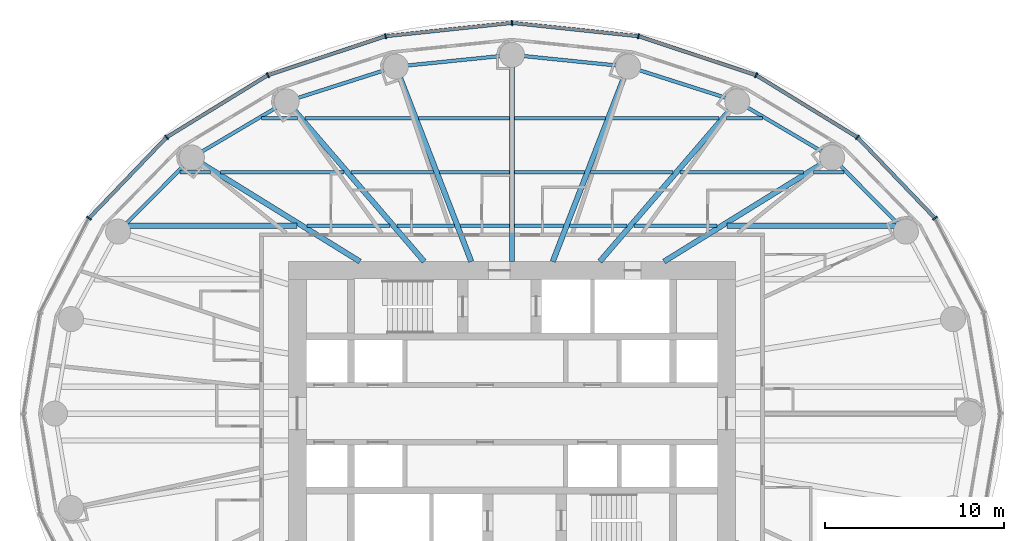
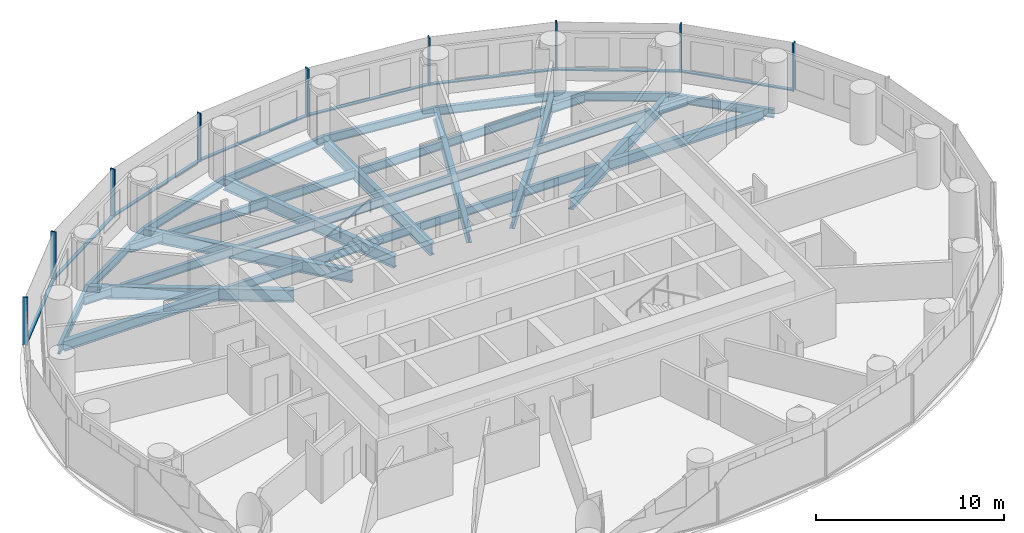
# One storey, part 4 of 13: 37 beams, 17 members, 2 elements without a shape of their own.
"""IFC4 building model written with IfcOpenShell, lengths in metres."""

from ifc_helpers import new_model, si_unit, direction, frame, origin, origin_2d, place, context, subcontext, project, spatial, rectangle, i_section, extrude, material, material_profile, profile_set, type_object, element, aggregate, save


model = new_model("IFC4")

# Units and contexts
model_context = context("Model", 3, precision=1e-05, world=origin(), true_north=direction((0.0, 1.0)))
body_context = subcontext(model_context, "Body", "Model", "MODEL_VIEW")
ifc_project = project(units=[si_unit("LENGTHUNIT", "METRE"), si_unit("AREAUNIT", "SQUARE_METRE"), si_unit("VOLUMEUNIT", "CUBIC_METRE"), si_unit("PLANEANGLEUNIT", "RADIAN"), si_unit("MASSUNIT", "GRAM", prefix="KILO")], contexts=[model_context])

# Site, building, storey
site_placement = place(None, origin())
site = spatial("IfcSite", under=ifc_project, at=site_placement, CompositionType="ELEMENT")
building_placement = place(site_placement, origin())
building = spatial("IfcBuilding", under=site, at=building_placement, Name="Hankou Lantern Tower", CompositionType="ELEMENT")
storey_placement = place(building_placement, frame((0.0, 0.0, 80.39990234375)))
storey = spatial("IfcBuildingStorey", under=building, at=storey_placement, Name="L20", CompositionType="ELEMENT", Elevation=80.39990234375)

# Beams
ifc_material_1 = material(Name="Steel Q355B", Category="steel")
ifc_material_profile_1 = material_profile(ifc_material_1, i_section(OverallWidth=0.199951171875, OverallDepth=0.550048828125, WebThickness=0.010009765625, FlangeThickness=0.01611328125, FilletRadius=0.012939453125, at=origin_2d()), Name="HN550x200x10x16")
ifc_profile_set_1 = profile_set([ifc_material_profile_1], Name="Steel Q355B")
beam_type_1 = type_object("IfcBeamType", Name="EB6 RING BEAM HN550x200x10x16", PredefinedType="SPANDREL", material=ifc_profile_set_1)
beam_1_placement = place(storey_placement, frame((22.01904296875, 10.170166015625, -0.454833984375), z_axis=(-0.705727798394, 0.708483079949, 0.0), x_axis=(-0.708483079949, -0.705727798394, 0.0)))
element("IfcBeam", 1, at=beam_1_placement, inside=storey, type_object=beam_type_1, Name="Ring beam R03-R04 L20", PredefinedType="SPANDREL", context=body_context, shape_type="SweptSolid", body=[
    extrude(i_section(OverallWidth=0.199951171875, OverallDepth=0.550048828125, WebThickness=0.010009765625, FlangeThickness=0.01611328125, FilletRadius=0.012939453125, at=origin_2d()), origin(), (0.0, 0.0, 1.0), 5.84814453125),
])
beam_2_placement = place(storey_placement, frame((17.891845703125, 14.3134765625, -0.454833984375), z_axis=(-0.860881533543, 0.508805449268, 0.0), x_axis=(-0.508805449268, -0.860881533543, 0.0)))
element("IfcBeam", 2, at=beam_2_placement, inside=storey, type_object=beam_type_1, Name="Ring beam R04-R05 L20", PredefinedType="SPANDREL", context=body_context, shape_type="SweptSolid", body=[
    extrude(i_section(OverallWidth=0.199951171875, OverallDepth=0.550048828125, WebThickness=0.010009765625, FlangeThickness=0.01611328125, FilletRadius=0.012939453125, at=origin_2d()), origin(), (0.0, 0.0, 1.0), 6.15771484375),
])
beam_3_placement = place(storey_placement, frame((12.5908203125, 17.446533203125, -0.454833984375), z_axis=(-0.952690479428, 0.303942182671, 0.0), x_axis=(-0.303942182671, -0.952690479428, 0.0)))
element("IfcBeam", 3, at=beam_3_placement, inside=storey, type_object=beam_type_1, Name="Ring beam R05-R06 L20", PredefinedType="SPANDREL", context=body_context, shape_type="SweptSolid", body=[
    extrude(i_section(OverallWidth=0.199951171875, OverallDepth=0.550048828125, WebThickness=0.010009765625, FlangeThickness=0.01611328125, FilletRadius=0.012939453125, at=origin_2d()), origin(), (0.0, 0.0, 1.0), 6.398681640625),
])
for number, where, z_axis, x_axis, name in (
    (4, (6.494873046875, 19.391357421875, -0.454833984375), (-0.994896616842, 0.100899562915, 0.0), (-0.100899562915, -0.994896616842, 0.0), "Ring beam R06-R07 L20"),
    (5, (0.0, 20.050048828125, -0.454833984375), (-0.994896616842, -0.100899562915, 0.0), (0.100899562915, -0.994896616842, 0.0), "Ring beam R07-R08 L20"),
):
    element("IfcBeam", number, at=place(storey_placement, frame(where, z_axis=z_axis, x_axis=x_axis)), inside=storey, type_object=beam_type_1, Name=name, PredefinedType="SPANDREL", context=body_context, shape_type="SweptSolid", body=[
        extrude(i_section(OverallWidth=0.199951171875, OverallDepth=0.550048828125, WebThickness=0.010009765625, FlangeThickness=0.01611328125, FilletRadius=0.012939453125, at=origin_2d()), origin(), (0.0, 0.0, 1.0), 6.528076171875),
    ])
beam_4_placement = place(storey_placement, frame((-6.494873046875, 19.391357421875, -0.454833984375), z_axis=(-0.952690479428, -0.303942182671, 0.0), x_axis=(0.303942182671, -0.952690479428, 0.0)))
element("IfcBeam", 6, at=beam_4_placement, inside=storey, type_object=beam_type_1, Name="Ring beam R08-R09 L20", PredefinedType="SPANDREL", context=body_context, shape_type="SweptSolid", body=[
    extrude(i_section(OverallWidth=0.199951171875, OverallDepth=0.550048828125, WebThickness=0.010009765625, FlangeThickness=0.01611328125, FilletRadius=0.012939453125, at=origin_2d()), origin(), (0.0, 0.0, 1.0), 6.398681640625),
])
beam_5_placement = place(storey_placement, frame((-12.5908203125, 17.446533203125, -0.454833984375), z_axis=(-0.860881533543, -0.508805449268, 0.0), x_axis=(0.508805449268, -0.860881533543, 0.0)))
element("IfcBeam", 7, at=beam_5_placement, inside=storey, type_object=beam_type_1, Name="Ring beam R09-R10 L20", PredefinedType="SPANDREL", context=body_context, shape_type="SweptSolid", body=[
    extrude(i_section(OverallWidth=0.199951171875, OverallDepth=0.550048828125, WebThickness=0.010009765625, FlangeThickness=0.01611328125, FilletRadius=0.012939453125, at=origin_2d()), origin(), (0.0, 0.0, 1.0), 6.15771484375),
])
beam_6_placement = place(storey_placement, frame((-17.891845703125, 14.3134765625, -0.454833984375), z_axis=(-0.705727798394, -0.708483079949, 0.0), x_axis=(0.708483079949, -0.705727798394, 0.0)))
element("IfcBeam", 8, at=beam_6_placement, inside=storey, type_object=beam_type_1, Name="Ring beam R10-R11 L20", PredefinedType="SPANDREL", context=body_context, shape_type="SweptSolid", body=[
    extrude(i_section(OverallWidth=0.199951171875, OverallDepth=0.550048828125, WebThickness=0.010009765625, FlangeThickness=0.01611328125, FilletRadius=0.012939453125, at=origin_2d()), origin(), (0.0, 0.0, 1.0), 5.84814453125),
])

# Curtain wall, members
ifc_material_2 = material(Name="Glass, dark grey tinted laminated", Category="glass")
curtain_wall_type = type_object("IfcCurtainWallType", Name="CWA OUTER SKIN LOW-RISE", PredefinedType="USERDEFINED", material=ifc_material_2)
curtain_wall_1_placement = place(storey_placement, origin())
curtain_wall_1 = element("IfcCurtainWall", 9, at=curtain_wall_1_placement, inside=storey, type_object=curtain_wall_type, Name="CWA L20 OS1", ObjectType="OUTER SKIN LOW-RISE", PredefinedType="USERDEFINED")
ifc_material_3 = material(Name="Aluminium, black anodised", Category="aluminium")
ifc_material_profile_2 = material_profile(ifc_material_3, rectangle(XDim=0.080078125, YDim=0.300048828125, at=origin_2d()), Name="MU1 80X300")
ifc_profile_set_2 = profile_set([ifc_material_profile_2], Name="Aluminium, black anodised")
member_type_1 = type_object("IfcMemberType", Name="MU1 OUTER SKIN MULLION 80X300", PredefinedType="MULLION", material=ifc_profile_set_2)
member_1_placement = place(storey_placement, frame((23.642578125, 10.919921875, 0.0), z_axis=(0.0, 0.0, 1.0), x_axis=(-0.585205735974, 0.810884854084, 0.0)))
member_1 = element("IfcMember", 10, at=member_1_placement, type_object=member_type_1, Name="CWA mullion 3", PredefinedType="MULLION", context=body_context, shape_type="SweptSolid", body=[
    extrude(rectangle(XDim=0.080078125, YDim=0.300048828125, at=origin_2d()), origin(), (0.0, 0.0, 1.0), 3.1201171875),
])
member_2_placement = place(storey_placement, frame((19.303955078125, 15.443115234375, 0.0), z_axis=(0.0, 0.0, 1.0), x_axis=(-0.780868809444, 0.624695047553, 0.0)))
member_2 = element("IfcMember", 11, at=member_2_placement, type_object=member_type_1, Name="CWA mullion 4", PredefinedType="MULLION", context=body_context, shape_type="SweptSolid", body=[
    extrude(rectangle(XDim=0.080078125, YDim=0.300048828125, at=origin_2d()), origin(), (0.0, 0.0, 1.0), 3.1201171875),
])
member_3_placement = place(storey_placement, frame((13.64990234375, 18.9140625, 0.0), z_axis=(0.0, 0.0, 1.0), x_axis=(-0.907841299004, 0.419313934686, 0.0)))
member_3 = element("IfcMember", 12, at=member_3_placement, type_object=member_type_1, Name="CWA mullion 5", PredefinedType="MULLION", context=body_context, shape_type="SweptSolid", body=[
    extrude(rectangle(XDim=0.080078125, YDim=0.300048828125, at=origin_2d()), origin(), (0.0, 0.0, 1.0), 3.1201171875),
])
member_4_placement = place(storey_placement, frame((7.065673828125, 21.095703125, 0.0), z_axis=(0.0, 0.0, 1.0), x_axis=(-0.977787659625, 0.209597931016, 0.0)))
member_4 = element("IfcMember", 13, at=member_4_placement, type_object=member_type_1, Name="CWA mullion 6", PredefinedType="MULLION", context=body_context, shape_type="SweptSolid", body=[
    extrude(rectangle(XDim=0.080078125, YDim=0.300048828125, at=origin_2d()), origin(), (0.0, 0.0, 1.0), 3.1201171875),
])

curtain_wall_2_placement = place(storey_placement, origin())
curtain_wall_2 = element("IfcCurtainWall", 14, at=curtain_wall_2_placement, inside=storey, type_object=curtain_wall_type, Name="CWA L20 OS2", ObjectType="OUTER SKIN LOW-RISE", PredefinedType="USERDEFINED")
member_5_placement = place(storey_placement, frame((0.0, 21.840087890625, 0.0), z_axis=(0.0, 0.0, 1.0), x_axis=(-0.994499359107, -0.104742659579, 0.0)))
member_5 = element("IfcMember", 15, at=member_5_placement, type_object=member_type_1, Name="CWA mullion 1", PredefinedType="MULLION", context=body_context, shape_type="SweptSolid", body=[
    extrude(rectangle(XDim=0.080078125, YDim=0.300048828125, at=origin_2d()), origin(), (0.0, 0.0, 1.0), 3.1201171875),
])
member_6_placement = place(storey_placement, frame((-7.065673828125, 21.095703125, 0.0), z_axis=(0.0, 0.0, 1.0), x_axis=(-0.977787659625, -0.209597931016, 0.0)))
member_6 = element("IfcMember", 16, at=member_6_placement, type_object=member_type_1, Name="CWA mullion 2", PredefinedType="MULLION", context=body_context, shape_type="SweptSolid", body=[
    extrude(rectangle(XDim=0.080078125, YDim=0.300048828125, at=origin_2d()), origin(), (0.0, 0.0, 1.0), 3.1201171875),
])
member_7_placement = place(storey_placement, frame((-13.64990234375, 18.9140625, 0.0), z_axis=(0.0, 0.0, 1.0), x_axis=(-0.907841299004, -0.419313934686, 0.0)))
member_7 = element("IfcMember", 17, at=member_7_placement, type_object=member_type_1, Name="CWA mullion 3", PredefinedType="MULLION", context=body_context, shape_type="SweptSolid", body=[
    extrude(rectangle(XDim=0.080078125, YDim=0.300048828125, at=origin_2d()), origin(), (0.0, 0.0, 1.0), 3.1201171875),
])
member_8_placement = place(storey_placement, frame((-19.303955078125, 15.443115234375, 0.0), z_axis=(0.0, 0.0, 1.0), x_axis=(-0.780868809444, -0.624695047553, 0.0)))
member_8 = element("IfcMember", 18, at=member_8_placement, type_object=member_type_1, Name="CWA mullion 4", PredefinedType="MULLION", context=body_context, shape_type="SweptSolid", body=[
    extrude(rectangle(XDim=0.080078125, YDim=0.300048828125, at=origin_2d()), origin(), (0.0, 0.0, 1.0), 3.1201171875),
])
member_9_placement = place(storey_placement, frame((-23.642578125, 10.919921875, 0.0), z_axis=(0.0, 0.0, 1.0), x_axis=(-0.585205735974, -0.810884854084, 0.0)))
member_9 = element("IfcMember", 19, at=member_9_placement, type_object=member_type_1, Name="CWA mullion 5", PredefinedType="MULLION", context=body_context, shape_type="SweptSolid", body=[
    extrude(rectangle(XDim=0.080078125, YDim=0.300048828125, at=origin_2d()), origin(), (0.0, 0.0, 1.0), 3.1201171875),
])

# Beams
ifc_material_4 = material(Name="Steel Q355B", Category="steel")
ifc_material_profile_3 = material_profile(ifc_material_4, i_section(OverallWidth=0.300048828125, OverallDepth=0.800048828125, WebThickness=0.013916015625, FlangeThickness=0.02587890625, FilletRadius=0.01806640625, at=origin_2d()), Name="HN800x300x14x26")
ifc_profile_set_3 = profile_set([ifc_material_profile_3], Name="Steel Q355B")
beam_type_2 = type_object("IfcBeamType", Name="RB11 RADIAL BEAM HN800x300x14x26", PredefinedType="BEAM", material=ifc_profile_set_3)
beam_7_placement = place(storey_placement, frame((8.5, 8.5, -0.579833984375), z_axis=(0.850286343288, 0.526320372414, 0.0), x_axis=(-0.526320372414, 0.850286343288, 0.0)))
element("IfcBeam", 20, at=beam_7_placement, inside=storey, type_object=beam_type_2, Name="Radial beam R04 L20", PredefinedType="BEAM", context=body_context, shape_type="SweptSolid", body=[
    extrude(i_section(OverallWidth=0.300048828125, OverallDepth=0.800048828125, WebThickness=0.013916015625, FlangeThickness=0.02587890625, FilletRadius=0.01806640625, at=origin_2d()), origin(), (0.0, 0.0, 1.0), 11.04541015625),
])
beam_8_placement = place(storey_placement, frame((4.907470703125, 8.5, -0.579833984375), z_axis=(0.651519061225, 0.758632264579, 0.0), x_axis=(-0.758632264579, 0.651519061225, 0.0)))
element("IfcBeam", 21, at=beam_8_placement, inside=storey, type_object=beam_type_2, Name="Radial beam R05 L20", PredefinedType="BEAM", context=body_context, shape_type="SweptSolid", body=[
    extrude(i_section(OverallWidth=0.300048828125, OverallDepth=0.800048828125, WebThickness=0.013916015625, FlangeThickness=0.02587890625, FilletRadius=0.01806640625, at=origin_2d()), origin(), (0.0, 0.0, 1.0), 11.79296875),
])
beam_9_placement = place(storey_placement, frame((2.277587890625, 8.5, -0.579833984375), z_axis=(0.361089103374, 0.932531318201, 0.0), x_axis=(-0.932531318201, 0.361089103374, 0.0)))
element("IfcBeam", 22, at=beam_9_placement, inside=storey, type_object=beam_type_2, Name="Radial beam R06 L20", PredefinedType="BEAM", context=body_context, shape_type="SweptSolid", body=[
    extrude(i_section(OverallWidth=0.300048828125, OverallDepth=0.800048828125, WebThickness=0.013916015625, FlangeThickness=0.02587890625, FilletRadius=0.01806640625, at=origin_2d()), origin(), (0.0, 0.0, 1.0), 11.679443359375),
])
beam_10_placement = place(storey_placement, frame((0.0, 8.5, -0.579833984375), z_axis=(0.0, 1.0, 0.0), x_axis=(-1.0, 0.0, 0.0)))
element("IfcBeam", 23, at=beam_10_placement, inside=storey, type_object=beam_type_2, Name="Radial beam R07 L20", PredefinedType="BEAM", context=body_context, shape_type="SweptSolid", body=[
    extrude(i_section(OverallWidth=0.300048828125, OverallDepth=0.800048828125, WebThickness=0.013916015625, FlangeThickness=0.02587890625, FilletRadius=0.01806640625, at=origin_2d()), origin(), (0.0, 0.0, 1.0), 11.550048828125),
])
beam_11_placement = place(storey_placement, frame((-2.277587890625, 8.5, -0.579833984375), z_axis=(-0.361089103374, 0.932531318201, 0.0), x_axis=(-0.932531318201, -0.361089103374, 0.0)))
element("IfcBeam", 24, at=beam_11_placement, inside=storey, type_object=beam_type_2, Name="Radial beam R08 L20", PredefinedType="BEAM", context=body_context, shape_type="SweptSolid", body=[
    extrude(i_section(OverallWidth=0.300048828125, OverallDepth=0.800048828125, WebThickness=0.013916015625, FlangeThickness=0.02587890625, FilletRadius=0.01806640625, at=origin_2d()), origin(), (0.0, 0.0, 1.0), 11.679443359375),
])
beam_12_placement = place(storey_placement, frame((-4.907470703125, 8.5, -0.579833984375), z_axis=(-0.651519061225, 0.758632264579, 0.0), x_axis=(-0.758632264579, -0.651519061225, 0.0)))
element("IfcBeam", 25, at=beam_12_placement, inside=storey, type_object=beam_type_2, Name="Radial beam R09 L20", PredefinedType="BEAM", context=body_context, shape_type="SweptSolid", body=[
    extrude(i_section(OverallWidth=0.300048828125, OverallDepth=0.800048828125, WebThickness=0.013916015625, FlangeThickness=0.02587890625, FilletRadius=0.01806640625, at=origin_2d()), origin(), (0.0, 0.0, 1.0), 11.79296875),
])
beam_13_placement = place(storey_placement, frame((-8.5, 8.5, -0.579833984375), z_axis=(-0.850286343288, 0.526320372414, 0.0), x_axis=(-0.526320372414, -0.850286343288, 0.0)))
element("IfcBeam", 26, at=beam_13_placement, inside=storey, type_object=beam_type_2, Name="Radial beam R10 L20", PredefinedType="BEAM", context=body_context, shape_type="SweptSolid", body=[
    extrude(i_section(OverallWidth=0.300048828125, OverallDepth=0.800048828125, WebThickness=0.013916015625, FlangeThickness=0.02587890625, FilletRadius=0.01806640625, at=origin_2d()), origin(), (0.0, 0.0, 1.0), 11.04541015625),
])
ifc_material_5 = material(Name="Steel Q355B", Category="steel")
ifc_material_profile_4 = material_profile(ifc_material_5, i_section(OverallWidth=0.199951171875, OverallDepth=0.550048828125, WebThickness=0.010009765625, FlangeThickness=0.01611328125, FilletRadius=0.012939453125, at=origin_2d()), Name="HN550x200x10x16")
ifc_profile_set_4 = profile_set([ifc_material_profile_4], Name="Steel Q355B")
beam_type_3 = type_object("IfcBeamType", Name="SB6 SECONDARY BEAM HN550x200x10x16", PredefinedType="JOIST", material=ifc_profile_set_4)
beam_14_placement = place(storey_placement, frame((-11.446044921875, 10.5, -0.454833984375), z_axis=(1.0, 0.0, 0.0), x_axis=(0.0, 1.0, 0.0)))
element("IfcBeam", 27, at=beam_14_placement, inside=storey, type_object=beam_type_3, Name="Floor joist J040 L20", PredefinedType="JOIST", context=body_context, shape_type="SweptSolid", body=[
    extrude(i_section(OverallWidth=0.199951171875, OverallDepth=0.550048828125, WebThickness=0.010009765625, FlangeThickness=0.01611328125, FilletRadius=0.012939453125, at=origin_2d()), origin(), (0.0, 0.0, 1.0), 4.623291015625),
])
beam_15_placement = place(storey_placement, frame((-6.427490234375, 10.5, -0.454833984375), z_axis=(1.0, 0.0, 0.0), x_axis=(0.0, 1.0, 0.0)))
element("IfcBeam", 28, at=beam_15_placement, inside=storey, type_object=beam_type_3, Name="Floor joist J041 L20", PredefinedType="JOIST", context=body_context, shape_type="SweptSolid", body=[
    extrude(i_section(OverallWidth=0.199951171875, OverallDepth=0.550048828125, WebThickness=0.010009765625, FlangeThickness=0.01611328125, FilletRadius=0.012939453125, at=origin_2d()), origin(), (0.0, 0.0, 1.0), 3.214599609375),
])
for number, where, z_axis, x_axis, name in (
    (29, (-2.89111328125, 10.5, -0.454833984375), (1.0, 0.0, 0.0), (0.0, 1.0, 0.0), "Floor joist J042 L20"),
    (30, (0.14990234375, 10.5, -0.454833984375), (1.0, 0.0, 0.0), (0.0, 1.0, 0.0), "Floor joist J043 L20"),
):
    element("IfcBeam", number, at=place(storey_placement, frame(where, z_axis=z_axis, x_axis=x_axis)), inside=storey, type_object=beam_type_3, Name=name, PredefinedType="JOIST", context=body_context, shape_type="SweptSolid", body=[
        extrude(i_section(OverallWidth=0.199951171875, OverallDepth=0.550048828125, WebThickness=0.010009765625, FlangeThickness=0.01611328125, FilletRadius=0.012939453125, at=origin_2d()), origin(), (0.0, 0.0, 1.0), 2.7412109375),
    ])
beam_16_placement = place(storey_placement, frame((3.212890625, 10.5, -0.454833984375), z_axis=(1.0, 0.0, 0.0), x_axis=(0.0, 1.0, 0.0)))
element("IfcBeam", 31, at=beam_16_placement, inside=storey, type_object=beam_type_3, Name="Floor joist J044 L20", PredefinedType="JOIST", context=body_context, shape_type="SweptSolid", body=[
    extrude(i_section(OverallWidth=0.199951171875, OverallDepth=0.550048828125, WebThickness=0.010009765625, FlangeThickness=0.01611328125, FilletRadius=0.012939453125, at=origin_2d()), origin(), (0.0, 0.0, 1.0), 3.214599609375),
])
beam_17_placement = place(storey_placement, frame((6.82275390625, 10.5, -0.454833984375), z_axis=(1.0, 0.0, 0.0), x_axis=(0.0, 1.0, 0.0)))
element("IfcBeam", 32, at=beam_17_placement, inside=storey, type_object=beam_type_3, Name="Floor joist J045 L20", PredefinedType="JOIST", context=body_context, shape_type="SweptSolid", body=[
    extrude(i_section(OverallWidth=0.199951171875, OverallDepth=0.550048828125, WebThickness=0.010009765625, FlangeThickness=0.01611328125, FilletRadius=0.012939453125, at=origin_2d()), origin(), (0.0, 0.0, 1.0), 4.623291015625),
])
beam_18_placement = place(storey_placement, frame((-18.560791015625, 13.5, -0.454833984375), z_axis=(1.0, 0.0, 0.0), x_axis=(0.0, 1.0, 0.0)))
element("IfcBeam", 33, at=beam_18_placement, inside=storey, type_object=beam_type_3, Name="Floor joist J047 L20", PredefinedType="JOIST", context=body_context, shape_type="SweptSolid", body=[
    extrude(i_section(OverallWidth=0.199951171875, OverallDepth=0.550048828125, WebThickness=0.010009765625, FlangeThickness=0.01611328125, FilletRadius=0.012939453125, at=origin_2d()), origin(), (0.0, 0.0, 1.0), 1.697998046875),
])
beam_19_placement = place(storey_placement, frame((-16.292724609375, 13.5, -0.454833984375), z_axis=(1.0, 0.0, 0.0), x_axis=(0.0, 1.0, 0.0)))
element("IfcBeam", 34, at=beam_19_placement, inside=storey, type_object=beam_type_3, Name="Floor joist J048 L20", PredefinedType="JOIST", context=body_context, shape_type="SweptSolid", body=[
    extrude(i_section(OverallWidth=0.199951171875, OverallDepth=0.550048828125, WebThickness=0.010009765625, FlangeThickness=0.01611328125, FilletRadius=0.012939453125, at=origin_2d()), origin(), (0.0, 0.0, 1.0), 6.893310546875),
])
beam_20_placement = place(storey_placement, frame((-9.00390625, 13.5, -0.454833984375), z_axis=(1.0, 0.0, 0.0), x_axis=(0.0, 1.0, 0.0)))
element("IfcBeam", 35, at=beam_20_placement, inside=storey, type_object=beam_type_3, Name="Floor joist J049 L20", PredefinedType="JOIST", context=body_context, shape_type="SweptSolid", body=[
    extrude(i_section(OverallWidth=0.199951171875, OverallDepth=0.550048828125, WebThickness=0.010009765625, FlangeThickness=0.01611328125, FilletRadius=0.012939453125, at=origin_2d()), origin(), (0.0, 0.0, 1.0), 4.62939453125),
])
for number, where, z_axis, x_axis, name in (
    (36, (-4.052734375, 13.5, -0.454833984375), (1.0, 0.0, 0.0), (0.0, 1.0, 0.0), "Floor joist J050 L20"),
    (37, (0.14990234375, 13.5, -0.454833984375), (1.0, 0.0, 0.0), (0.0, 1.0, 0.0), "Floor joist J051 L20"),
):
    element("IfcBeam", number, at=place(storey_placement, frame(where, z_axis=z_axis, x_axis=x_axis)), inside=storey, type_object=beam_type_3, Name=name, PredefinedType="JOIST", context=body_context, shape_type="SweptSolid", body=[
        extrude(i_section(OverallWidth=0.199951171875, OverallDepth=0.550048828125, WebThickness=0.010009765625, FlangeThickness=0.01611328125, FilletRadius=0.012939453125, at=origin_2d()), origin(), (0.0, 0.0, 1.0), 3.90283203125),
    ])
beam_21_placement = place(storey_placement, frame((4.37451171875, 13.5, -0.454833984375), z_axis=(1.0, 0.0, 0.0), x_axis=(0.0, 1.0, 0.0)))
element("IfcBeam", 38, at=beam_21_placement, inside=storey, type_object=beam_type_3, Name="Floor joist J052 L20", PredefinedType="JOIST", context=body_context, shape_type="SweptSolid", body=[
    extrude(i_section(OverallWidth=0.199951171875, OverallDepth=0.550048828125, WebThickness=0.010009765625, FlangeThickness=0.01611328125, FilletRadius=0.012939453125, at=origin_2d()), origin(), (0.0, 0.0, 1.0), 4.62939453125),
])
beam_22_placement = place(storey_placement, frame((9.3994140625, 13.5, -0.454833984375), z_axis=(1.0, 0.0, 0.0), x_axis=(0.0, 1.0, 0.0)))
element("IfcBeam", 39, at=beam_22_placement, inside=storey, type_object=beam_type_3, Name="Floor joist J053 L20", PredefinedType="JOIST", context=body_context, shape_type="SweptSolid", body=[
    extrude(i_section(OverallWidth=0.199951171875, OverallDepth=0.550048828125, WebThickness=0.010009765625, FlangeThickness=0.01611328125, FilletRadius=0.012939453125, at=origin_2d()), origin(), (0.0, 0.0, 1.0), 6.893310546875),
])
beam_23_placement = place(storey_placement, frame((16.86279296875, 13.5, -0.454833984375), z_axis=(1.0, 0.0, 0.0), x_axis=(0.0, 1.0, 0.0)))
element("IfcBeam", 40, at=beam_23_placement, inside=storey, type_object=beam_type_3, Name="Floor joist J054 L20", PredefinedType="JOIST", context=body_context, shape_type="SweptSolid", body=[
    extrude(i_section(OverallWidth=0.199951171875, OverallDepth=0.550048828125, WebThickness=0.010009765625, FlangeThickness=0.01611328125, FilletRadius=0.012939453125, at=origin_2d()), origin(), (0.0, 0.0, 1.0), 1.697998046875),
])
beam_24_placement = place(storey_placement, frame((-13.99560546875, 16.5, -0.454833984375), z_axis=(1.0, 0.0, 0.0), x_axis=(0.0, 1.0, 0.0)))
element("IfcBeam", 41, at=beam_24_placement, inside=storey, type_object=beam_type_3, Name="Floor joist J055 L20", PredefinedType="JOIST", context=body_context, shape_type="SweptSolid", body=[
    extrude(i_section(OverallWidth=0.199951171875, OverallDepth=0.550048828125, WebThickness=0.010009765625, FlangeThickness=0.01611328125, FilletRadius=0.012939453125, at=origin_2d()), origin(), (0.0, 0.0, 1.0), 2.019775390625),
])
beam_25_placement = place(storey_placement, frame((-11.580322265625, 16.5, -0.454833984375), z_axis=(1.0, 0.0, 0.0), x_axis=(0.0, 1.0, 0.0)))
element("IfcBeam", 42, at=beam_25_placement, inside=storey, type_object=beam_type_3, Name="Floor joist J056 L20", PredefinedType="JOIST", context=body_context, shape_type="SweptSolid", body=[
    extrude(i_section(OverallWidth=0.199951171875, OverallDepth=0.550048828125, WebThickness=0.010009765625, FlangeThickness=0.01611328125, FilletRadius=0.012939453125, at=origin_2d()), origin(), (0.0, 0.0, 1.0), 6.044189453125),
])
for number, where, z_axis, x_axis, name in (
    (43, (-5.21435546875, 16.5, -0.454833984375), (1.0, 0.0, 0.0), (0.0, 1.0, 0.0), "Floor joist J057 L20"),
    (44, (0.14990234375, 16.5, -0.454833984375), (1.0, 0.0, 0.0), (0.0, 1.0, 0.0), "Floor joist J058 L20"),
):
    element("IfcBeam", number, at=place(storey_placement, frame(where, z_axis=z_axis, x_axis=x_axis)), inside=storey, type_object=beam_type_3, Name=name, PredefinedType="JOIST", context=body_context, shape_type="SweptSolid", body=[
        extrude(i_section(OverallWidth=0.199951171875, OverallDepth=0.550048828125, WebThickness=0.010009765625, FlangeThickness=0.01611328125, FilletRadius=0.012939453125, at=origin_2d()), origin(), (0.0, 0.0, 1.0), 5.064453125),
    ])
beam_26_placement = place(storey_placement, frame((5.5361328125, 16.5, -0.454833984375), z_axis=(1.0, 0.0, 0.0), x_axis=(0.0, 1.0, 0.0)))
element("IfcBeam", 45, at=beam_26_placement, inside=storey, type_object=beam_type_3, Name="Floor joist J059 L20", PredefinedType="JOIST", context=body_context, shape_type="SweptSolid", body=[
    extrude(i_section(OverallWidth=0.199951171875, OverallDepth=0.550048828125, WebThickness=0.010009765625, FlangeThickness=0.01611328125, FilletRadius=0.012939453125, at=origin_2d()), origin(), (0.0, 0.0, 1.0), 6.044189453125),
])
beam_27_placement = place(storey_placement, frame((11.975830078125, 16.5, -0.454833984375), z_axis=(1.0, 0.0, 0.0), x_axis=(0.0, 1.0, 0.0)))
element("IfcBeam", 46, at=beam_27_placement, inside=storey, type_object=beam_type_3, Name="Floor joist J060 L20", PredefinedType="JOIST", context=body_context, shape_type="SweptSolid", body=[
    extrude(i_section(OverallWidth=0.199951171875, OverallDepth=0.550048828125, WebThickness=0.010009765625, FlangeThickness=0.01611328125, FilletRadius=0.012939453125, at=origin_2d()), origin(), (0.0, 0.0, 1.0), 2.019775390625),
])
ifc_material_6 = material(Name="Steel Q355B", Category="steel")
ifc_material_profile_5 = material_profile(ifc_material_6, i_section(OverallWidth=0.300048828125, OverallDepth=0.64990234375, WebThickness=0.010986328125, FlangeThickness=0.01708984375, FilletRadius=0.01806640625, at=origin_2d()), Name="HN650x300x11x17")
ifc_profile_set_5 = profile_set([ifc_material_profile_5], Name="Steel Q355B")
beam_type_4 = type_object("IfcBeamType", Name="SB8 SECONDARY BEAM HN650x300x11x17", PredefinedType="JOIST", material=ifc_profile_set_5)
for number, where, z_axis, x_axis, name in (
    (47, (-21.54931640625, 10.5, -0.5048828125), (1.0, 0.0, 0.0), (0.0, 1.0, 0.0), "Floor joist J039 L20"),
    (48, (12.01611328125, 10.5, -0.5048828125), (1.0, 0.0, 0.0), (0.0, 1.0, 0.0), "Floor joist J046 L20"),
):
    element("IfcBeam", number, at=place(storey_placement, frame(where, z_axis=z_axis, x_axis=x_axis)), inside=storey, type_object=beam_type_4, Name=name, PredefinedType="JOIST", context=body_context, shape_type="SweptSolid", body=[
        extrude(i_section(OverallWidth=0.300048828125, OverallDepth=0.64990234375, WebThickness=0.010986328125, FlangeThickness=0.01708984375, FilletRadius=0.01806640625, at=origin_2d()), origin(), (0.0, 0.0, 1.0), 9.533203125),
    ])

# Member
ifc_material_7 = material(Name="Aluminium, black anodised", Category="aluminium")
ifc_material_profile_6 = material_profile(ifc_material_7, rectangle(XDim=0.199951171875, YDim=0.080078125, at=origin_2d()), Name="TR1 200X80")
ifc_profile_set_6 = profile_set([ifc_material_profile_6], Name="Aluminium, black anodised")
member_type_2 = type_object("IfcMemberType", Name="TR1 OUTER SKIN TRANSOM 200X80", PredefinedType="USERDEFINED", material=ifc_profile_set_6)
member_10_placement = place(storey_placement, frame((23.61474609375, 10.948974609375, 0.0400390625), z_axis=(-0.692215537374, 0.721690827029, 0.0), x_axis=(-0.721690827029, -0.692215537374, 0.0)))
member_10 = element("IfcMember", 49, at=member_10_placement, type_object=member_type_2, Name="CWA transom 3", ObjectType="TRANSOM", PredefinedType="USERDEFINED", context=body_context, shape_type="SweptSolid", body=[
    extrude(rectangle(XDim=0.199951171875, YDim=0.080078125, at=origin_2d()), origin(), (0.0, 0.0, 1.0), 6.187255859375),
])

member_11_placement = place(storey_placement, frame((19.27001953125, 15.464111328125, 0.0400390625), z_axis=(-0.85223969557, 0.523151508929, 0.0), x_axis=(-0.523151508929, -0.85223969557, 0.0)))
member_11 = element("IfcMember", 50, at=member_11_placement, type_object=member_type_2, Name="CWA transom 4", ObjectType="TRANSOM", PredefinedType="USERDEFINED", context=body_context, shape_type="SweptSolid", body=[
    extrude(rectangle(XDim=0.199951171875, YDim=0.080078125, at=origin_2d()), origin(), (0.0, 0.0, 1.0), 6.554443359375),
])

member_12_placement = place(storey_placement, frame((13.612060546875, 18.926513671875, 0.0400390625), z_axis=(-0.949237318771, 0.314560825044, 0.0), x_axis=(-0.314560825044, -0.949237318771, 0.0)))
member_12 = element("IfcMember", 51, at=member_12_placement, type_object=member_type_2, Name="CWA transom 5", ObjectType="TRANSOM", PredefinedType="USERDEFINED", context=body_context, shape_type="SweptSolid", body=[
    extrude(rectangle(XDim=0.199951171875, YDim=0.080078125, at=origin_2d()), origin(), (0.0, 0.0, 1.0), 6.8564453125),
])

member_13_placement = place(storey_placement, frame((7.02587890625, 21.10009765625, 0.0400390625), z_axis=(-0.994502215033, 0.104715539888, 0.0), x_axis=(-0.104715539888, -0.994502215033, 0.0)))
member_13 = element("IfcMember", 52, at=member_13_placement, type_object=member_type_2, Name="CWA transom 6", ObjectType="TRANSOM", PredefinedType="USERDEFINED", context=body_context, shape_type="SweptSolid", body=[
    extrude(rectangle(XDim=0.199951171875, YDim=0.080078125, at=origin_2d()), origin(), (0.0, 0.0, 1.0), 7.024658203125),
])

aggregate(curtain_wall_1, [member_1, member_2, member_3, member_4, member_10, member_11, member_12, member_13])

member_14_placement = place(storey_placement, frame((-0.039794921875, 21.835693359375, 0.0400390625), z_axis=(-0.994502215033, -0.104715539888, 0.0), x_axis=(0.104715539888, -0.994502215033, 0.0)))
member_14 = element("IfcMember", 53, at=member_14_placement, type_object=member_type_2, Name="CWA transom 1", ObjectType="TRANSOM", PredefinedType="USERDEFINED", context=body_context, shape_type="SweptSolid", body=[
    extrude(rectangle(XDim=0.199951171875, YDim=0.080078125, at=origin_2d()), origin(), (0.0, 0.0, 1.0), 7.024658203125),
])

member_15_placement = place(storey_placement, frame((-7.103759765625, 21.083251953125, 0.0400390625), z_axis=(-0.949237318771, -0.314560825044, 0.0), x_axis=(0.314560825044, -0.949237318771, 0.0)))
member_15 = element("IfcMember", 54, at=member_15_placement, type_object=member_type_2, Name="CWA transom 2", ObjectType="TRANSOM", PredefinedType="USERDEFINED", context=body_context, shape_type="SweptSolid", body=[
    extrude(rectangle(XDim=0.199951171875, YDim=0.080078125, at=origin_2d()), origin(), (0.0, 0.0, 1.0), 6.8564453125),
])

member_16_placement = place(storey_placement, frame((-13.68408203125, 18.89306640625, 0.0400390625), z_axis=(-0.85223969557, -0.523151508929, 0.0), x_axis=(0.523151508929, -0.85223969557, 0.0)))
member_16 = element("IfcMember", 55, at=member_16_placement, type_object=member_type_2, Name="CWA transom 3", ObjectType="TRANSOM", PredefinedType="USERDEFINED", context=body_context, shape_type="SweptSolid", body=[
    extrude(rectangle(XDim=0.199951171875, YDim=0.080078125, at=origin_2d()), origin(), (0.0, 0.0, 1.0), 6.554443359375),
])

member_17_placement = place(storey_placement, frame((-19.331787109375, 15.414306640625, 0.0400390625), z_axis=(-0.692215537374, -0.721690827029, 0.0), x_axis=(0.721690827029, -0.692215537374, 0.0)))
member_17 = element("IfcMember", 56, at=member_17_placement, type_object=member_type_2, Name="CWA transom 4", ObjectType="TRANSOM", PredefinedType="USERDEFINED", context=body_context, shape_type="SweptSolid", body=[
    extrude(rectangle(XDim=0.199951171875, YDim=0.080078125, at=origin_2d()), origin(), (0.0, 0.0, 1.0), 6.187255859375),
])

aggregate(curtain_wall_2, [member_5, member_6, member_7, member_8, member_9, member_14, member_15, member_16, member_17])

save(model, "model.ifc")
